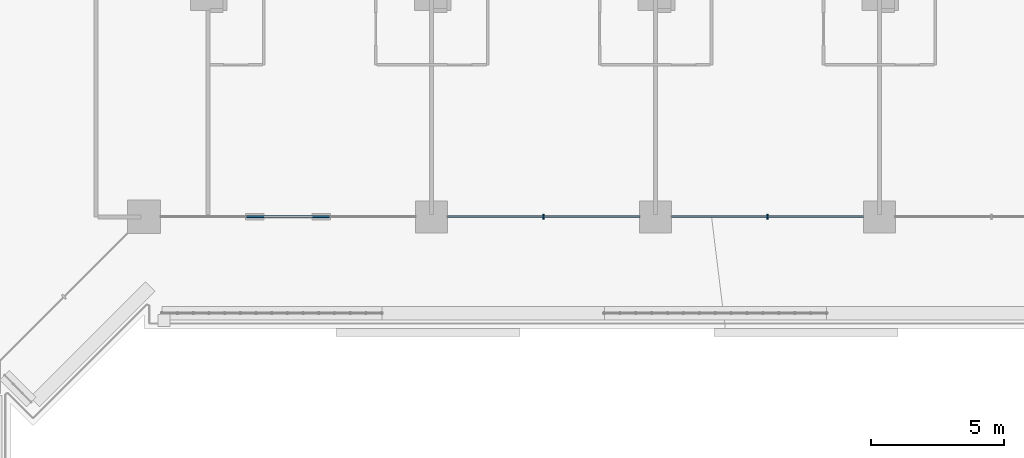
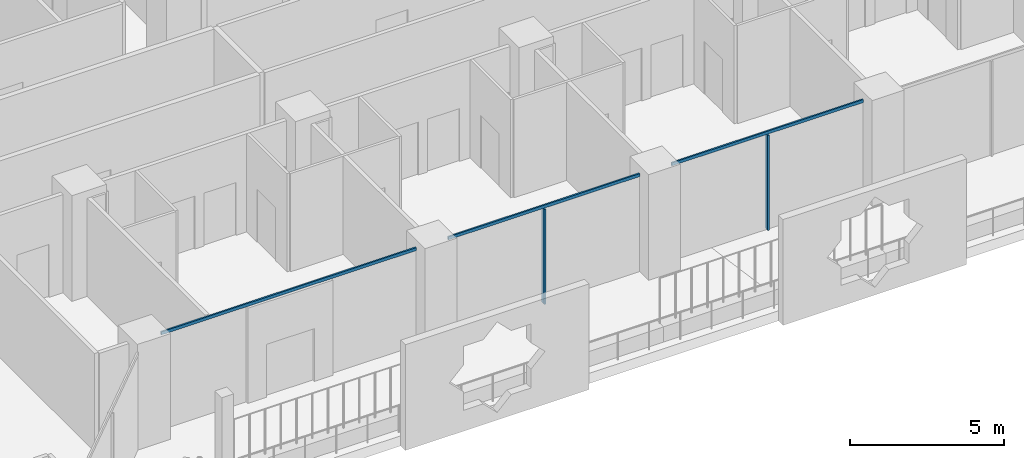
# One storey, part 6 of 29: 5 members, 1 element without a shape of its own.
"""IFC4 building model written with IfcOpenShell, lengths in metres."""

from ifc_helpers import new_model, si_unit, direction, frame, origin, origin_2d, place, context, subcontext, project, spatial, rectangle, extrude, material, layer, layer_set, material_profile, profile_set, type_object, element, aggregate, save


model = new_model("IFC4")

# Units and contexts
model_context = context("Model", 3, precision=1e-05, world=origin(), true_north=direction((0.0, 1.0)))
body_context = subcontext(model_context, "Body", "Model", "MODEL_VIEW")
ifc_project = project(units=[si_unit("LENGTHUNIT", "METRE"), si_unit("AREAUNIT", "SQUARE_METRE"), si_unit("VOLUMEUNIT", "CUBIC_METRE"), si_unit("PLANEANGLEUNIT", "RADIAN"), si_unit("MASSUNIT", "GRAM", prefix="KILO")], contexts=[model_context])

# Site, building, storey
site_placement = place(None, origin())
site = spatial("IfcSite", under=ifc_project, at=site_placement, CompositionType="ELEMENT")
building_placement = place(site_placement, origin())
building = spatial("IfcBuilding", under=site, at=building_placement, Name="Kawkab Arch Medical Tower", CompositionType="ELEMENT")
storey_placement = place(building_placement, frame((0.0, 0.0, 60.199951171875)))
storey = spatial("IfcBuildingStorey", under=building, at=storey_placement, Name="L13", CompositionType="ELEMENT", Elevation=60.199951171875)

# Curtain wall, members
ifc_material_1 = material(Name="Bronze anodised aluminium curtain wall frame", Category="aluminium")
ifc_layer = layer(ifc_material_1, 0.159912109375)
ifc_layer_set = layer_set([ifc_layer], Name="Bronze anodised aluminium curtain wall frame")
curtain_wall_type = type_object("IfcCurtainWallType", Name="CW1 ward curtain wall", PredefinedType="NOTDEFINED", material=ifc_layer_set)
curtain_wall_placement = place(storey_placement, origin())
curtain_wall = element("IfcCurtainWall", 1, at=curtain_wall_placement, inside=storey, type_object=curtain_wall_type, Name="CW1 Ward curtain wall R07", PredefinedType="NOTDEFINED")
ifc_material_2 = material(Name="Bronze anodised aluminium curtain wall frame", Category="aluminium")
ifc_material_profile_1 = material_profile(ifc_material_2, rectangle(XDim=0.179931640625, YDim=0.06005859375, at=origin_2d()), Name="AL 60x180")
ifc_profile_set_1 = profile_set([ifc_material_profile_1], Name="Bronze anodised aluminium curtain wall frame")
member_type_1 = type_object("IfcMemberType", Name="CW1 mullion 60 x 180", PredefinedType="MULLION", material=ifc_profile_set_1)
member_1_placement = place(storey_placement, frame((46.199951171875, -25.199951171875, 0.0), z_axis=(0.0, 0.0, 1.0), x_axis=(0.0, 1.0, 0.0)))
member_1 = element("IfcMember", 2, at=member_1_placement, type_object=member_type_1, Name="CW1 mullion 2.1", PredefinedType="MULLION", context=body_context, shape_type="SweptSolid", body=[
    extrude(rectangle(XDim=0.179931640625, YDim=0.06005859375, at=origin_2d()), origin(), (0.0, 0.0, 1.0), 3.780029296875),
])
member_2_placement = place(storey_placement, frame((54.60009765625, -25.199951171875, 0.0), z_axis=(0.0, 0.0, 1.0), x_axis=(0.0, 1.0, 0.0)))
member_2 = element("IfcMember", 3, at=member_2_placement, type_object=member_type_1, Name="CW1 mullion 3.1", PredefinedType="MULLION", context=body_context, shape_type="SweptSolid", body=[
    extrude(rectangle(XDim=0.179931640625, YDim=0.06005859375, at=origin_2d()), origin(), (0.0, 0.0, 1.0), 3.780029296875),
])
ifc_material_3 = material(Name="Bronze anodised aluminium curtain wall frame", Category="aluminium")
ifc_material_profile_2 = material_profile(ifc_material_3, rectangle(XDim=0.06005859375, YDim=0.1201171875, at=origin_2d()), Name="AL 60x120")
ifc_profile_set_2 = profile_set([ifc_material_profile_2], Name="Bronze anodised aluminium curtain wall frame")
member_type_2 = type_object("IfcMemberType", Name="CW1 transom 120 x 60", PredefinedType="USERDEFINED", material=ifc_profile_set_2)
member_3_placement = place(storey_placement, frame((31.824951171875, -25.199951171875, 3.840087890625), z_axis=(1.0, 0.0, 0.0), x_axis=(0.0, 1.0, 0.0)))
member_3 = element("IfcMember", 4, at=member_3_placement, type_object=member_type_2, Name="CW1 transom 1", ObjectType="TRANSOM", PredefinedType="USERDEFINED", context=body_context, shape_type="SweptSolid", body=[
    extrude(rectangle(XDim=0.06005859375, YDim=0.1201171875, at=origin_2d()), origin(), (0.0, 0.0, 1.0), 9.574951171875),
])
member_4_placement = place(storey_placement, frame((42.60009765625, -25.199951171875, 3.840087890625), z_axis=(1.0, 0.0, 0.0), x_axis=(0.0, 1.0, 0.0)))
member_4 = element("IfcMember", 5, at=member_4_placement, type_object=member_type_2, Name="CW1 transom 2", ObjectType="TRANSOM", PredefinedType="USERDEFINED", context=body_context, shape_type="SweptSolid", body=[
    extrude(rectangle(XDim=0.06005859375, YDim=0.1201171875, at=origin_2d()), origin(), (0.0, 0.0, 1.0), 7.199951171875),
])
member_5_placement = place(storey_placement, frame((51.0, -25.199951171875, 3.840087890625), z_axis=(1.0, 0.0, 0.0), x_axis=(0.0, 1.0, 0.0)))
member_5 = element("IfcMember", 6, at=member_5_placement, type_object=member_type_2, Name="CW1 transom 3", ObjectType="TRANSOM", PredefinedType="USERDEFINED", context=body_context, shape_type="SweptSolid", body=[
    extrude(rectangle(XDim=0.06005859375, YDim=0.1201171875, at=origin_2d()), origin(), (0.0, 0.0, 1.0), 7.199951171875),
])
aggregate(curtain_wall, [member_3, member_4, member_1, member_5, member_2])

save(model, "model.ifc")
